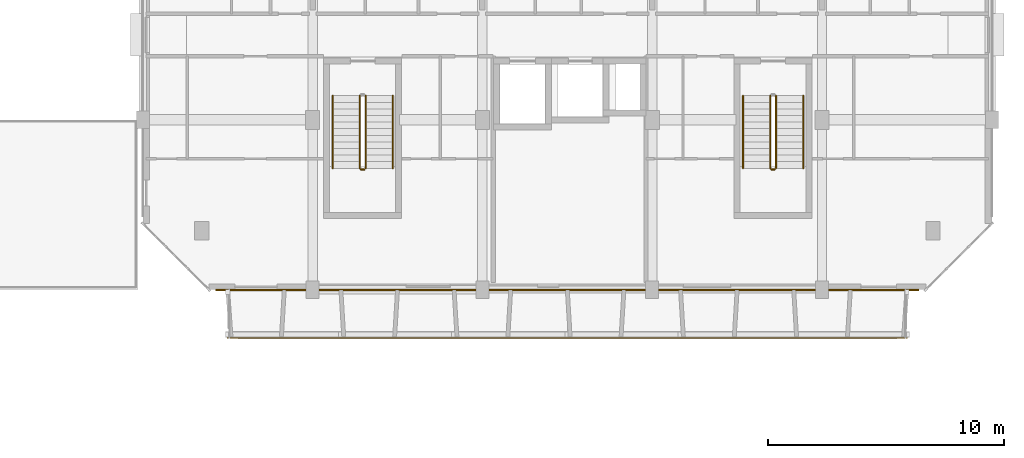
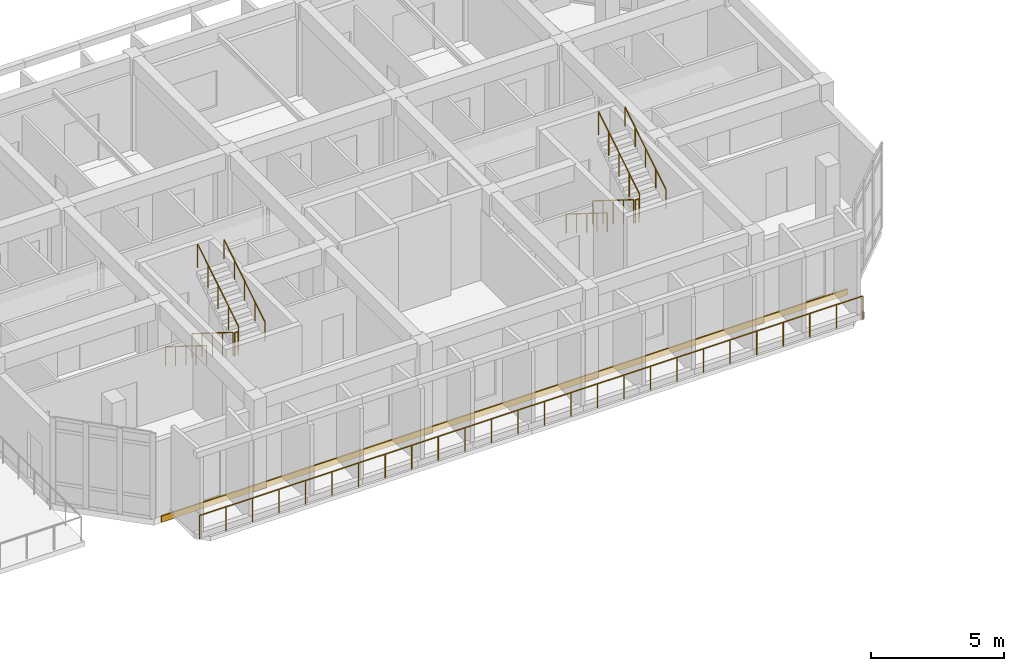
# One storey, part 82 of 85: 11 railings, 1 covering.
"""IFC4 building model written with IfcOpenShell, lengths in metres."""

from ifc_helpers import new_model, si_unit, direction, frame, origin, origin_2d, place, context, subcontext, project, spatial, rectangle, circle, extrude, material, layer, layer_set, type_object, element, save


model = new_model("IFC4")

# Units and contexts
model_context = context("Model", 3, precision=1e-05, world=origin(), true_north=direction((0.0, 1.0)))
body_context = subcontext(model_context, "Body", "Model", "MODEL_VIEW")
ifc_project = project(units=[si_unit("LENGTHUNIT", "METRE"), si_unit("AREAUNIT", "SQUARE_METRE"), si_unit("VOLUMEUNIT", "CUBIC_METRE"), si_unit("PLANEANGLEUNIT", "RADIAN"), si_unit("MASSUNIT", "GRAM", prefix="KILO")], contexts=[model_context])

# Site, building, storey
site_placement = place(None, origin())
site = spatial("IfcSite", under=ifc_project, at=site_placement, CompositionType="ELEMENT")
building_placement = place(site_placement, origin())
building = spatial("IfcBuilding", under=site, at=building_placement, Name="Ochrevale Crest", CompositionType="ELEMENT")
storey_placement = place(building_placement, frame((0.0, 0.0, 4.5)))
storey = spatial("IfcBuildingStorey", under=building, at=storey_placement, Name="L01", CompositionType="ELEMENT", Elevation=4.5)

# Covering
ifc_material_1 = material(Name="Glazed terracotta rainscreen tile", Category="masonry")
ifc_layer = layer(ifc_material_1, 0.048095703125)
ifc_layer_set = layer_set([ifc_layer], Name="Glazed terracotta rainscreen tile")
covering_type = type_object("IfcCoveringType", Name="COV-CLAD-TER", PredefinedType="CLADDING", material=ifc_layer_set)
covering_placement = place(storey_placement, frame((147.60009765625, 71.987548828125, -0.26025390625), z_axis=(0.0, 0.0, 1.0), x_axis=(1.0, 0.0, 0.0)))
element("IfcCovering", 1, at=covering_placement, inside=storey, type_object=covering_type, Name="Block D L01 terracotta slab-edge spandrel cladding", PredefinedType="CLADDING", context=body_context, shape_type="SweptSolid", body=[
    extrude(rectangle(XDim=29.800048828125, YDim=0.06005859375, at=origin_2d()), origin(), (0.0, 0.0, 1.0), 0.280029296875),
])

# Railings
ifc_material_2 = material(Name="Galvanised steel", Category="steel")
railing_type_1 = type_object("IfcRailingType", Name="RL-BAL-1100", PredefinedType="BALUSTRADE", material=ifc_material_2)
railing_1_placement = place(storey_placement, frame((133.199951171875, 69.9599609375, 0.0)))
element("IfcRailing", 2, at=railing_1_placement, inside=storey, type_object=railing_type_1, Name="Block D L01 S balcony front balustrade", PredefinedType="BALUSTRADE", context=body_context, shape_type="SweptSolid", body=[
    extrude(circle(Radius=0.02392578125, at=origin_2d()), frame((0.0, 0.0, 1.0859375), z_axis=(1.0, 0.0, 0.0), x_axis=(0.0, 1.0, 0.0)), (0.0, 0.0, 1.0), 28.800048828125),
    extrude(circle(Radius=0.02099609375, at=origin_2d()), origin(), (0.0, 0.0, 1.0), 1.06201171875),
    extrude(circle(Radius=0.02099609375, at=origin_2d()), frame((1.152099609375, 0.0, 0.0)), (0.0, 0.0, 1.0), 1.06201171875),
    extrude(circle(Radius=0.02099609375, at=origin_2d()), frame((2.303955078125, 0.0, 0.0)), (0.0, 0.0, 1.0), 1.06201171875),
    extrude(circle(Radius=0.02099609375, at=origin_2d()), frame((3.4560546875, 0.0, 0.0)), (0.0, 0.0, 1.0), 1.06201171875),
    extrude(circle(Radius=0.02099609375, at=origin_2d()), frame((4.60791015625, 0.0, 0.0)), (0.0, 0.0, 1.0), 1.06201171875),
    extrude(circle(Radius=0.02099609375, at=origin_2d()), frame((5.760009765625, 0.0, 0.0)), (0.0, 0.0, 1.0), 1.06201171875),
    extrude(circle(Radius=0.02099609375, at=origin_2d()), frame((6.912109375, 0.0, 0.0)), (0.0, 0.0, 1.0), 1.06201171875),
    extrude(circle(Radius=0.02099609375, at=origin_2d()), frame((8.06396484375, 0.0, 0.0)), (0.0, 0.0, 1.0), 1.06201171875),
    extrude(circle(Radius=0.02099609375, at=origin_2d()), frame((9.216064453125, 0.0, 0.0)), (0.0, 0.0, 1.0), 1.06201171875),
    extrude(circle(Radius=0.02099609375, at=origin_2d()), frame((10.367919921875, 0.0, 0.0)), (0.0, 0.0, 1.0), 1.06201171875),
    extrude(circle(Radius=0.02099609375, at=origin_2d()), frame((11.52001953125, 0.0, 0.0)), (0.0, 0.0, 1.0), 1.06201171875),
    extrude(circle(Radius=0.02099609375, at=origin_2d()), frame((12.672119140625, 0.0, 0.0)), (0.0, 0.0, 1.0), 1.06201171875),
    extrude(circle(Radius=0.02099609375, at=origin_2d()), frame((13.823974609375, 0.0, 0.0)), (0.0, 0.0, 1.0), 1.06201171875),
    extrude(circle(Radius=0.02099609375, at=origin_2d()), frame((14.97607421875, 0.0, 0.0)), (0.0, 0.0, 1.0), 1.06201171875),
    extrude(circle(Radius=0.02099609375, at=origin_2d()), frame((16.1279296875, 0.0, 0.0)), (0.0, 0.0, 1.0), 1.06201171875),
    extrude(circle(Radius=0.02099609375, at=origin_2d()), frame((17.280029296875, 0.0, 0.0)), (0.0, 0.0, 1.0), 1.06201171875),
    extrude(circle(Radius=0.02099609375, at=origin_2d()), frame((18.43212890625, 0.0, 0.0)), (0.0, 0.0, 1.0), 1.06201171875),
    extrude(circle(Radius=0.02099609375, at=origin_2d()), frame((19.583984375, 0.0, 0.0)), (0.0, 0.0, 1.0), 1.06201171875),
    extrude(circle(Radius=0.02099609375, at=origin_2d()), frame((20.736083984375, 0.0, 0.0)), (0.0, 0.0, 1.0), 1.06201171875),
    extrude(circle(Radius=0.02099609375, at=origin_2d()), frame((21.887939453125, 0.0, 0.0)), (0.0, 0.0, 1.0), 1.06201171875),
    extrude(circle(Radius=0.02099609375, at=origin_2d()), frame((23.0400390625, 0.0, 0.0)), (0.0, 0.0, 1.0), 1.06201171875),
    extrude(circle(Radius=0.02099609375, at=origin_2d()), frame((24.192138671875, 0.0, 0.0)), (0.0, 0.0, 1.0), 1.06201171875),
    extrude(circle(Radius=0.02099609375, at=origin_2d()), frame((25.343994140625, 0.0, 0.0)), (0.0, 0.0, 1.0), 1.06201171875),
    extrude(circle(Radius=0.02099609375, at=origin_2d()), frame((26.49609375, 0.0, 0.0)), (0.0, 0.0, 1.0), 1.06201171875),
    extrude(circle(Radius=0.02099609375, at=origin_2d()), frame((27.64794921875, 0.0, 0.0)), (0.0, 0.0, 1.0), 1.06201171875),
    extrude(circle(Radius=0.02099609375, at=origin_2d()), frame((28.800048828125, 0.0, 0.0)), (0.0, 0.0, 1.0), 1.06201171875),
])
railing_type_2 = type_object("IfcRailingType", Name="RL-ST-GUARD", PredefinedType="BALUSTRADE", material=ifc_material_2)
railing_2_placement = place(storey_placement, frame((138.800048828125, 80.22509765625, 0.175048828125)))
element("IfcRailing", 3, at=railing_2_placement, inside=storey, type_object=railing_type_2, Name="L01 ST-D1 stair guard 1", PredefinedType="BALUSTRADE", context=body_context, shape_type="SweptSolid", body=[
    extrude(circle(Radius=0.02392578125, at=origin_2d()), frame((0.0, 0.0, 1.076171875), z_axis=(0.0, -0.847998304005, 0.529998940003), x_axis=(1.0, 0.0, 0.0)), (0.0, 0.0, 1.0), 3.632080078125),
    extrude(circle(Radius=0.02099609375, at=origin_2d()), origin(), (0.0, 0.0, 1.0), 1.052001953125),
    extrude(circle(Radius=0.02099609375, at=origin_2d()), frame((0.0, -0.77001953125, 0.481201171875)), (0.0, 0.0, 1.0), 1.052001953125),
    extrude(circle(Radius=0.02099609375, at=origin_2d()), frame((0.0, -1.5400390625, 0.96240234375)), (0.0, 0.0, 1.0), 1.052001953125),
    extrude(circle(Radius=0.02099609375, at=origin_2d()), frame((0.0, -2.31005859375, 1.44384765625)), (0.0, 0.0, 1.0), 1.052001953125),
    extrude(circle(Radius=0.02099609375, at=origin_2d()), frame((0.0, -3.080078125, 1.925048828125)), (0.0, 0.0, 1.0), 1.052001953125),
])
railing_3_placement = place(storey_placement, frame((138.85009765625, 77.094970703125, 2.10009765625)))
element("IfcRailing", 4, at=railing_3_placement, inside=storey, type_object=railing_type_2, Name="L01 ST-D1 stair guard 2", PredefinedType="BALUSTRADE", context=body_context, shape_type="SweptSolid", body=[
    extrude(circle(Radius=0.02392578125, at=origin_2d()), frame((0.0, 0.0, 1.076171875), z_axis=(1.0, 0.0, 0.0), x_axis=(0.0, 1.0, 0.0)), (0.0, 0.0, 1.0), 0.14990234375),
    extrude(circle(Radius=0.02099609375, at=origin_2d()), origin(), (0.0, 0.0, 1.0), 1.052001953125),
    extrude(circle(Radius=0.02099609375, at=origin_2d()), frame((0.14990234375, 0.0, 0.0)), (0.0, 0.0, 1.0), 1.052001953125),
])
railing_4_placement = place(storey_placement, frame((139.050048828125, 77.14501953125, 2.27490234375)))
element("IfcRailing", 5, at=railing_4_placement, inside=storey, type_object=railing_type_2, Name="L01 ST-D1 stair guard 3", PredefinedType="BALUSTRADE", context=body_context, shape_type="SweptSolid", body=[
    extrude(circle(Radius=0.02392578125, at=origin_2d()), frame((0.0, 0.0, 1.076171875), z_axis=(0.0, 0.847998304005, 0.529998940003), x_axis=(-1.0, 0.0, 0.0)), (0.0, 0.0, 1.0), 3.632080078125),
    extrude(circle(Radius=0.02099609375, at=origin_2d()), origin(), (0.0, 0.0, 1.0), 1.052001953125),
    extrude(circle(Radius=0.02099609375, at=origin_2d()), frame((0.0, 0.77001953125, 0.481201171875)), (0.0, 0.0, 1.0), 1.052001953125),
    extrude(circle(Radius=0.02099609375, at=origin_2d()), frame((0.0, 1.5400390625, 0.96240234375)), (0.0, 0.0, 1.0), 1.052001953125),
    extrude(circle(Radius=0.02099609375, at=origin_2d()), frame((0.0, 2.31005859375, 1.44384765625)), (0.0, 0.0, 1.0), 1.052001953125),
    extrude(circle(Radius=0.02099609375, at=origin_2d()), frame((0.0, 3.080078125, 1.925048828125)), (0.0, 0.0, 1.0), 1.052001953125),
])
railing_5_placement = place(storey_placement, frame((156.199951171875, 80.22509765625, 0.175048828125)))
element("IfcRailing", 6, at=railing_5_placement, inside=storey, type_object=railing_type_2, Name="L01 ST-D2 stair guard 1", PredefinedType="BALUSTRADE", context=body_context, shape_type="SweptSolid", body=[
    extrude(circle(Radius=0.02392578125, at=origin_2d()), frame((0.0, 0.0, 1.076171875), z_axis=(0.0, -0.847998304005, 0.529998940003), x_axis=(1.0, 0.0, 0.0)), (0.0, 0.0, 1.0), 3.632080078125),
    extrude(circle(Radius=0.02099609375, at=origin_2d()), origin(), (0.0, 0.0, 1.0), 1.052001953125),
    extrude(circle(Radius=0.02099609375, at=origin_2d()), frame((0.0, -0.77001953125, 0.481201171875)), (0.0, 0.0, 1.0), 1.052001953125),
    extrude(circle(Radius=0.02099609375, at=origin_2d()), frame((0.0, -1.5400390625, 0.96240234375)), (0.0, 0.0, 1.0), 1.052001953125),
    extrude(circle(Radius=0.02099609375, at=origin_2d()), frame((0.0, -2.31005859375, 1.44384765625)), (0.0, 0.0, 1.0), 1.052001953125),
    extrude(circle(Radius=0.02099609375, at=origin_2d()), frame((0.0, -3.080078125, 1.925048828125)), (0.0, 0.0, 1.0), 1.052001953125),
])
railing_6_placement = place(storey_placement, frame((156.25, 77.094970703125, 2.10009765625)))
element("IfcRailing", 7, at=railing_6_placement, inside=storey, type_object=railing_type_2, Name="L01 ST-D2 stair guard 2", PredefinedType="BALUSTRADE", context=body_context, shape_type="SweptSolid", body=[
    extrude(circle(Radius=0.02392578125, at=origin_2d()), frame((0.0, 0.0, 1.076171875), z_axis=(1.0, 0.0, 0.0), x_axis=(0.0, 1.0, 0.0)), (0.0, 0.0, 1.0), 0.14990234375),
    extrude(circle(Radius=0.02099609375, at=origin_2d()), origin(), (0.0, 0.0, 1.0), 1.052001953125),
    extrude(circle(Radius=0.02099609375, at=origin_2d()), frame((0.14990234375, 0.0, 0.0)), (0.0, 0.0, 1.0), 1.052001953125),
])
railing_7_placement = place(storey_placement, frame((156.449951171875, 77.14501953125, 2.27490234375)))
element("IfcRailing", 8, at=railing_7_placement, inside=storey, type_object=railing_type_2, Name="L01 ST-D2 stair guard 3", PredefinedType="BALUSTRADE", context=body_context, shape_type="SweptSolid", body=[
    extrude(circle(Radius=0.02392578125, at=origin_2d()), frame((0.0, 0.0, 1.076171875), z_axis=(0.0, 0.847998304005, 0.529998940003), x_axis=(-1.0, 0.0, 0.0)), (0.0, 0.0, 1.0), 3.632080078125),
    extrude(circle(Radius=0.02099609375, at=origin_2d()), origin(), (0.0, 0.0, 1.0), 1.052001953125),
    extrude(circle(Radius=0.02099609375, at=origin_2d()), frame((0.0, 0.77001953125, 0.481201171875)), (0.0, 0.0, 1.0), 1.052001953125),
    extrude(circle(Radius=0.02099609375, at=origin_2d()), frame((0.0, 1.5400390625, 0.96240234375)), (0.0, 0.0, 1.0), 1.052001953125),
    extrude(circle(Radius=0.02099609375, at=origin_2d()), frame((0.0, 2.31005859375, 1.44384765625)), (0.0, 0.0, 1.0), 1.052001953125),
    extrude(circle(Radius=0.02099609375, at=origin_2d()), frame((0.0, 3.080078125, 1.925048828125)), (0.0, 0.0, 1.0), 1.052001953125),
])
ifc_material_3 = material(Name="Stainless steel", Category="steel")
railing_type_3 = type_object("IfcRailingType", Name="RL-ST-HRAIL", PredefinedType="HANDRAIL", material=ifc_material_3)
railing_8_placement = place(storey_placement, frame((137.64990234375, 80.22509765625, 0.175048828125)))
element("IfcRailing", 9, at=railing_8_placement, inside=storey, type_object=railing_type_3, Name="L01 ST-D1 stair handrail 1", PredefinedType="HANDRAIL", context=body_context, shape_type="SweptSolid", body=[
    extrude(circle(Radius=0.02392578125, at=origin_2d()), frame((0.0, 0.0, 0.8759765625), z_axis=(0.0, -0.847998304005, 0.529998940003), x_axis=(1.0, 0.0, 0.0)), (0.0, 0.0, 1.0), 3.632080078125),
    extrude(circle(Radius=0.02099609375, at=origin_2d()), origin(), (0.0, 0.0, 1.0), 0.851806640625),
    extrude(circle(Radius=0.02099609375, at=origin_2d()), frame((0.0, -0.77001953125, 0.481201171875)), (0.0, 0.0, 1.0), 0.851806640625),
    extrude(circle(Radius=0.02099609375, at=origin_2d()), frame((0.0, -1.5400390625, 0.96240234375)), (0.0, 0.0, 1.0), 0.851806640625),
    extrude(circle(Radius=0.02099609375, at=origin_2d()), frame((0.0, -2.31005859375, 1.44384765625)), (0.0, 0.0, 1.0), 0.851806640625),
    extrude(circle(Radius=0.02099609375, at=origin_2d()), frame((0.0, -3.080078125, 1.925048828125)), (0.0, 0.0, 1.0), 0.851806640625),
])
railing_9_placement = place(storey_placement, frame((140.199951171875, 77.14501953125, 2.27490234375)))
element("IfcRailing", 10, at=railing_9_placement, inside=storey, type_object=railing_type_3, Name="L01 ST-D1 stair handrail 2", PredefinedType="HANDRAIL", context=body_context, shape_type="SweptSolid", body=[
    extrude(circle(Radius=0.02392578125, at=origin_2d()), frame((0.0, 0.0, 0.8759765625), z_axis=(0.0, 0.847998304005, 0.529998940003), x_axis=(-1.0, 0.0, 0.0)), (0.0, 0.0, 1.0), 3.632080078125),
    extrude(circle(Radius=0.02099609375, at=origin_2d()), origin(), (0.0, 0.0, 1.0), 0.851806640625),
    extrude(circle(Radius=0.02099609375, at=origin_2d()), frame((0.0, 0.77001953125, 0.481201171875)), (0.0, 0.0, 1.0), 0.851806640625),
    extrude(circle(Radius=0.02099609375, at=origin_2d()), frame((0.0, 1.5400390625, 0.96240234375)), (0.0, 0.0, 1.0), 0.851806640625),
    extrude(circle(Radius=0.02099609375, at=origin_2d()), frame((0.0, 2.31005859375, 1.44384765625)), (0.0, 0.0, 1.0), 0.851806640625),
    extrude(circle(Radius=0.02099609375, at=origin_2d()), frame((0.0, 3.080078125, 1.925048828125)), (0.0, 0.0, 1.0), 0.851806640625),
])
railing_10_placement = place(storey_placement, frame((155.050048828125, 80.22509765625, 0.175048828125)))
element("IfcRailing", 11, at=railing_10_placement, inside=storey, type_object=railing_type_3, Name="L01 ST-D2 stair handrail 1", PredefinedType="HANDRAIL", context=body_context, shape_type="SweptSolid", body=[
    extrude(circle(Radius=0.02392578125, at=origin_2d()), frame((0.0, 0.0, 0.8759765625), z_axis=(0.0, -0.847998304005, 0.529998940003), x_axis=(1.0, 0.0, 0.0)), (0.0, 0.0, 1.0), 3.632080078125),
    extrude(circle(Radius=0.02099609375, at=origin_2d()), origin(), (0.0, 0.0, 1.0), 0.851806640625),
    extrude(circle(Radius=0.02099609375, at=origin_2d()), frame((0.0, -0.77001953125, 0.481201171875)), (0.0, 0.0, 1.0), 0.851806640625),
    extrude(circle(Radius=0.02099609375, at=origin_2d()), frame((0.0, -1.5400390625, 0.96240234375)), (0.0, 0.0, 1.0), 0.851806640625),
    extrude(circle(Radius=0.02099609375, at=origin_2d()), frame((0.0, -2.31005859375, 1.44384765625)), (0.0, 0.0, 1.0), 0.851806640625),
    extrude(circle(Radius=0.02099609375, at=origin_2d()), frame((0.0, -3.080078125, 1.925048828125)), (0.0, 0.0, 1.0), 0.851806640625),
])
railing_11_placement = place(storey_placement, frame((157.60009765625, 77.14501953125, 2.27490234375)))
element("IfcRailing", 12, at=railing_11_placement, inside=storey, type_object=railing_type_3, Name="L01 ST-D2 stair handrail 2", PredefinedType="HANDRAIL", context=body_context, shape_type="SweptSolid", body=[
    extrude(circle(Radius=0.02392578125, at=origin_2d()), frame((0.0, 0.0, 0.8759765625), z_axis=(0.0, 0.847998304005, 0.529998940003), x_axis=(-1.0, 0.0, 0.0)), (0.0, 0.0, 1.0), 3.632080078125),
    extrude(circle(Radius=0.02099609375, at=origin_2d()), origin(), (0.0, 0.0, 1.0), 0.851806640625),
    extrude(circle(Radius=0.02099609375, at=origin_2d()), frame((0.0, 0.77001953125, 0.481201171875)), (0.0, 0.0, 1.0), 0.851806640625),
    extrude(circle(Radius=0.02099609375, at=origin_2d()), frame((0.0, 1.5400390625, 0.96240234375)), (0.0, 0.0, 1.0), 0.851806640625),
    extrude(circle(Radius=0.02099609375, at=origin_2d()), frame((0.0, 2.31005859375, 1.44384765625)), (0.0, 0.0, 1.0), 0.851806640625),
    extrude(circle(Radius=0.02099609375, at=origin_2d()), frame((0.0, 3.080078125, 1.925048828125)), (0.0, 0.0, 1.0), 0.851806640625),
])

save(model, "model.ifc")
